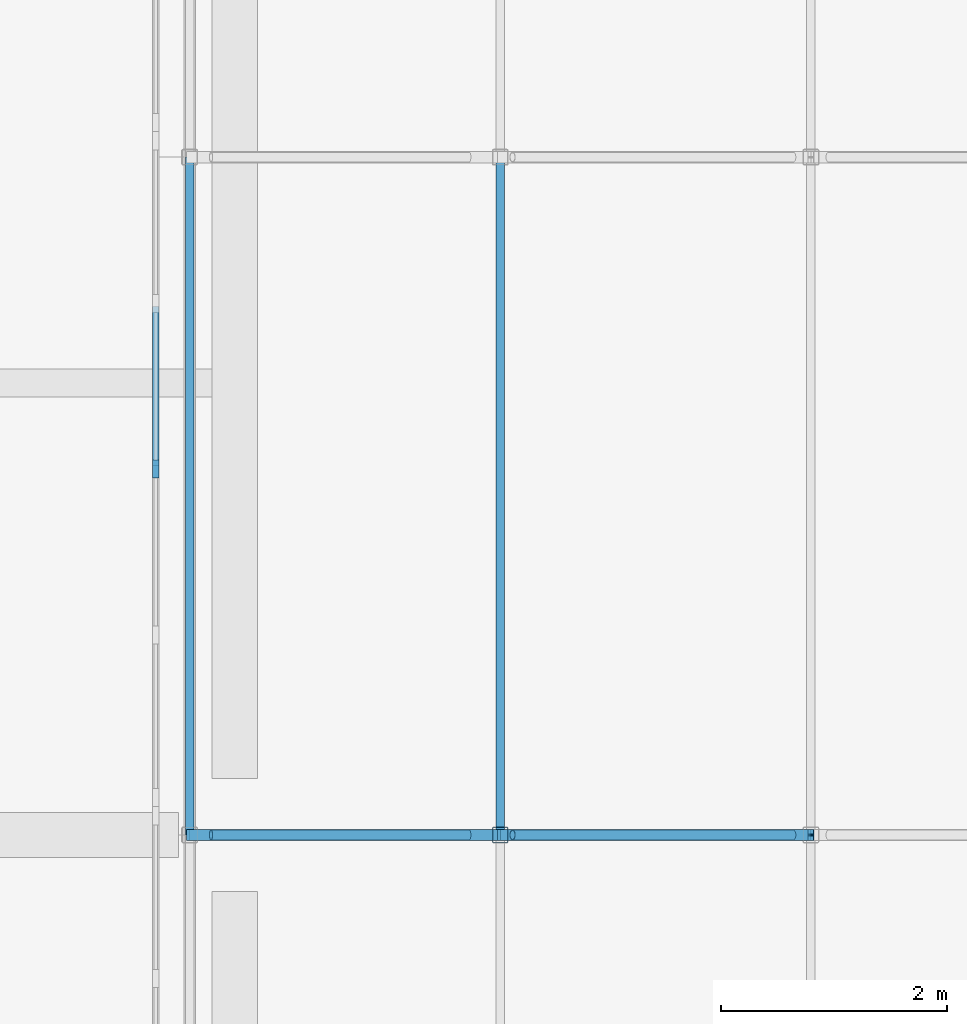
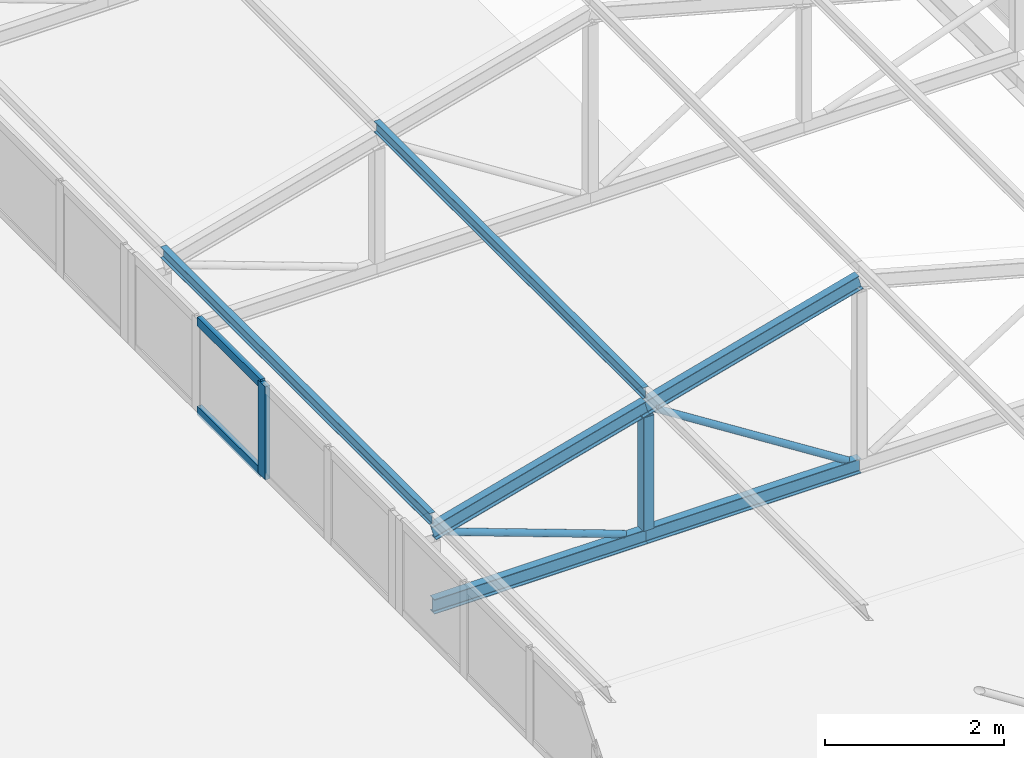
# One storey, part 12 of 94: 12 members, 1 element without a shape of its own.
"""IFC4 building model written with IfcOpenShell, lengths in metres."""

from ifc_helpers import new_model, si_unit, direction, frame, origin, origin_2d, place, context, subcontext, project, spatial, rectangle, hollow_rectangle, hollow_circle, i_section, extrude, material, layer, layer_set, material_profile, profile_set, type_object, element, aggregate, save


model = new_model("IFC4")

# Units and contexts
model_context = context("Model", 3, precision=1e-05, world=origin(), true_north=direction((0.0, 1.0)))
body_context = subcontext(model_context, "Body", "Model", "MODEL_VIEW")
ifc_project = project(units=[si_unit("LENGTHUNIT", "METRE"), si_unit("AREAUNIT", "SQUARE_METRE"), si_unit("VOLUMEUNIT", "CUBIC_METRE"), si_unit("PLANEANGLEUNIT", "RADIAN"), si_unit("MASSUNIT", "GRAM", prefix="KILO")], contexts=[model_context])

# Site, building, storey
site_placement = place(None, origin())
site = spatial("IfcSite", under=ifc_project, at=site_placement, CompositionType="ELEMENT")
building_placement = place(site_placement, origin())
building = spatial("IfcBuilding", under=site, at=building_placement, Name="Lilac Gate Convention Centre", CompositionType="ELEMENT")
storey_placement = place(building_placement, frame((0.0, 0.0, 21.0)))
storey = spatial("IfcBuildingStorey", under=building, at=storey_placement, Name="L04", CompositionType="ELEMENT", Elevation=21.0)

# Curtain wall, members
ifc_material_1 = material(Name="Aluminium framed double glazing", Category="aluminium")
ifc_layer = layer(ifc_material_1, 0.199951171875)
ifc_layer_set = layer_set([ifc_layer], Name="Aluminium framed double glazing")
curtain_wall_type = type_object("IfcCurtainWallType", Name="Unitised curtain wall 1500", PredefinedType="NOTDEFINED", material=ifc_layer_set)
curtain_wall_placement = place(storey_placement, origin())
curtain_wall = element("IfcCurtainWall", 1, at=curtain_wall_placement, inside=storey, type_object=curtain_wall_type, Name="Lantern clerestory W 7", PredefinedType="NOTDEFINED")
ifc_material_2 = material(Name="Aluminium alloy 6063", Category="aluminium")
ifc_material_profile_1 = material_profile(ifc_material_2, rectangle(XDim=0.06005859375, YDim=0.159912109375, at=origin_2d()), Name="Curtain wall mullion 60 x 160")
ifc_profile_set_1 = profile_set([ifc_material_profile_1], Name="Aluminium alloy 6063")
member_type_1 = type_object("IfcMemberType", Name="Curtain wall mullion 60 x 160", PredefinedType="MULLION", material=ifc_profile_set_1)
member_1_placement = place(storey_placement, frame((17.300048828125, 69.237548828125, 0.0), z_axis=(0.0, 0.0, 1.0), x_axis=(-1.0, 0.0, 0.0)))
member_1 = element("IfcMember", 2, at=member_1_placement, type_object=member_type_1, Name="CW mullion 3", PredefinedType="MULLION", context=body_context, shape_type="SweptSolid", body=[
    extrude(rectangle(XDim=0.06005859375, YDim=0.159912109375, at=origin_2d()), origin(), (0.0, 0.0, 1.0), 1.272216796875),
])
ifc_material_profile_2 = material_profile(ifc_material_2, rectangle(XDim=0.06005859375, YDim=0.1201171875, at=origin_2d()), Name="Curtain wall transom 60 x 120")
ifc_profile_set_2 = profile_set([ifc_material_profile_2], Name="Aluminium alloy 6063")
member_type_2 = type_object("IfcMemberType", Name="Curtain wall transom 60 x 120", PredefinedType="USERDEFINED", material=ifc_profile_set_2)
member_2_placement = place(storey_placement, frame((17.300048828125, 69.267578125, 0.030029296875), z_axis=(0.0, 1.0, 0.0), x_axis=(-1.0, 0.0, 0.0)))
member_2 = element("IfcMember", 3, at=member_2_placement, type_object=member_type_2, Name="CW transom 3.1", ObjectType="TRANSOM", PredefinedType="USERDEFINED", context=body_context, shape_type="SweptSolid", body=[
    extrude(rectangle(XDim=0.06005859375, YDim=0.1201171875, at=origin_2d()), origin(), (0.0, 0.0, 1.0), 1.40869140625),
])
member_3_placement = place(storey_placement, frame((17.300048828125, 69.267578125, 1.2421875), z_axis=(0.0, 1.0, 0.0), x_axis=(-1.0, 0.0, 0.0)))
member_3 = element("IfcMember", 4, at=member_3_placement, type_object=member_type_2, Name="CW transom 3.2", ObjectType="TRANSOM", PredefinedType="USERDEFINED", context=body_context, shape_type="SweptSolid", body=[
    extrude(rectangle(XDim=0.06005859375, YDim=0.1201171875, at=origin_2d()), origin(), (0.0, 0.0, 1.0), 1.40869140625),
])
aggregate(curtain_wall, [member_1, member_2, member_3])

# Members
ifc_material_3 = material(Name="Steel Q355B", Category="steel")
ifc_material_profile_3 = material_profile(ifc_material_3, i_section(OverallWidth=0.10009765625, OverallDepth=0.199951171875, WebThickness=0.005615234375, FlangeThickness=0.008056640625, FilletRadius=0.008056640625, at=origin_2d()), Name="HN200x100x5.5x8")
ifc_profile_set_3 = profile_set([ifc_material_profile_3], Name="Steel Q355B")
member_type_3 = type_object("IfcMemberType", Name="Lantern bottom chord HN200x100x5.5x8", PredefinedType="CHORD", material=ifc_profile_set_3)
for number, where, z_axis, x_axis, name in (
    (5, (17.60009765625, 66.0, 0.10009765625), (1.0, 0.0, 0.0), (0.0, 1.0, 0.0), "LB1 lantern truss 7 bottom chord 1"),
    (6, (20.35009765625, 66.0, 0.10009765625), (1.0, 0.0, 0.0), (0.0, 1.0, 0.0), "LB1 lantern truss 7 bottom chord 2"),
):
    element("IfcMember", number, at=place(storey_placement, frame(where, z_axis=z_axis, x_axis=x_axis)), inside=storey, type_object=member_type_3, Name=name, PredefinedType="CHORD", context=body_context, shape_type="SweptSolid", body=[
        extrude(i_section(OverallWidth=0.10009765625, OverallDepth=0.199951171875, WebThickness=0.005615234375, FlangeThickness=0.008056640625, FilletRadius=0.008056640625, at=origin_2d()), origin(), (0.0, 0.0, 1.0), 2.75),
    ])
ifc_material_profile_4 = material_profile(ifc_material_3, hollow_circle(Radius=0.04443359375, WallThickness=0.0048828125, at=origin_2d()), Name="CHS88.9x5")
ifc_profile_set_4 = profile_set([ifc_material_profile_4], Name="Steel Q355B")
member_type_4 = type_object("IfcMemberType", Name="Lantern diagonal CHS88.9x5", PredefinedType="BRACE", material=ifc_profile_set_4)
member_4_placement = place(storey_placement, frame((17.789794921875, 66.0, 1.031005859375), z_axis=(0.939781696917, 0.0, -0.341775309434), x_axis=(0.0, 1.0, 0.0)))
element("IfcMember", 7, at=member_4_placement, inside=storey, type_object=member_type_4, Name="LW1 lantern truss 7 diagonal 1", PredefinedType="BRACE", context=body_context, shape_type="SweptSolid", body=[
    extrude(hollow_circle(Radius=0.04443359375, WallThickness=0.0048828125, at=origin_2d()), origin(), (0.0, 0.0, 1.0), 2.431640625),
])
member_5_placement = place(storey_placement, frame((20.45849609375, 66.0, 1.781005859375), z_axis=(0.843647832412, 0.0, -0.536896949951), x_axis=(0.0, 1.0, 0.0)))
element("IfcMember", 8, at=member_5_placement, inside=storey, type_object=member_type_4, Name="LW1 lantern truss 7 diagonal 2", PredefinedType="BRACE", context=body_context, shape_type="SweptSolid", body=[
    extrude(hollow_circle(Radius=0.04443359375, WallThickness=0.0048828125, at=origin_2d()), origin(), (0.0, 0.0, 1.0), 2.94482421875),
])
ifc_material_profile_5 = material_profile(ifc_material_3, hollow_rectangle(XDim=0.139892578125, YDim=0.139892578125, WallThickness=0.0048828125, InnerFilletRadius=0.0048828125, OuterFilletRadius=0.010009765625, at=origin_2d()), Name="SHS140x140x5")
ifc_profile_set_5 = profile_set([ifc_material_profile_5], Name="Steel Q355B")
member_type_5 = type_object("IfcMemberType", Name="Lantern post SHS140x140x5", PredefinedType="STRUT", material=ifc_profile_set_5)
member_6_placement = place(storey_placement, frame((20.35009765625, 66.0, 0.199951171875), z_axis=(0.0, 0.0, 1.0), x_axis=(1.0, 0.0, 0.0)))
element("IfcMember", 9, at=member_6_placement, inside=storey, type_object=member_type_5, Name="LV1 lantern truss 7 post 2", PredefinedType="STRUT", context=body_context, shape_type="SweptSolid", body=[
    extrude(hollow_rectangle(XDim=0.139892578125, YDim=0.139892578125, WallThickness=0.0048828125, InnerFilletRadius=0.0048828125, OuterFilletRadius=0.010009765625, at=origin_2d()), origin(), (0.0, 0.0, 1.0), 1.546142578125),
])
ifc_material_profile_6 = material_profile(ifc_material_3, i_section(OverallWidth=0.074951171875, OverallDepth=0.14990234375, WebThickness=0.0048828125, FlangeThickness=0.007080078125, FilletRadius=0.008056640625, at=origin_2d()), Name="HN150x75x5x7")
ifc_profile_set_6 = profile_set([ifc_material_profile_6], Name="Steel Q355B")
member_type_6 = type_object("IfcMemberType", Name="Lantern purlin HN150x75x5x7", PredefinedType="PURLIN", material=ifc_profile_set_6)
for number, where, z_axis, x_axis, name in (
    (10, (17.60009765625, 66.0, 1.279052734375), (0.0, 1.0, 0.0), (-1.0, 0.0, 0.0), "LP1 lantern purlin bay 7 line 1"),
    (11, (20.35009765625, 66.0, 2.029052734375), (0.0, 1.0, 0.0), (-1.0, 0.0, 0.0), "LP1 lantern purlin bay 7 line 2"),
):
    element("IfcMember", number, at=place(storey_placement, frame(where, z_axis=z_axis, x_axis=x_axis)), inside=storey, type_object=member_type_6, Name=name, PredefinedType="PURLIN", context=body_context, shape_type="SweptSolid", body=[
        extrude(i_section(OverallWidth=0.074951171875, OverallDepth=0.14990234375, WebThickness=0.0048828125, FlangeThickness=0.007080078125, FilletRadius=0.008056640625, at=origin_2d()), origin(), (0.0, 0.0, 1.0), 6.0),
    ])
ifc_material_profile_7 = material_profile(ifc_material_3, i_section(OverallWidth=0.10009765625, OverallDepth=0.199951171875, WebThickness=0.005615234375, FlangeThickness=0.008056640625, FilletRadius=0.008056640625, at=origin_2d()), Name="HN200x100x5.5x8")
ifc_profile_set_7 = profile_set([ifc_material_profile_7], Name="Steel Q355B")
member_type_7 = type_object("IfcMemberType", Name="Lantern top chord HN200x100x5.5x8", PredefinedType="CHORD", material=ifc_profile_set_7)
for number, where, z_axis, x_axis, name in (
    (12, (17.60009765625, 66.0, 1.10009765625), (0.964763821238, 0.0, 0.263117405792), (0.0, 1.0, 0.0), "LT1 lantern truss 7 top chord 1"),
    (13, (20.35009765625, 66.0, 1.85009765625), (0.964763821238, 0.0, 0.263117405792), (0.0, 1.0, 0.0), "LT1 lantern truss 7 top chord 2"),
):
    element("IfcMember", number, at=place(storey_placement, frame(where, z_axis=z_axis, x_axis=x_axis)), inside=storey, type_object=member_type_7, Name=name, PredefinedType="CHORD", context=body_context, shape_type="SweptSolid", body=[
        extrude(i_section(OverallWidth=0.10009765625, OverallDepth=0.199951171875, WebThickness=0.005615234375, FlangeThickness=0.008056640625, FilletRadius=0.008056640625, at=origin_2d()), origin(), (0.0, 0.0, 1.0), 2.850341796875),
    ])

save(model, "model.ifc")
